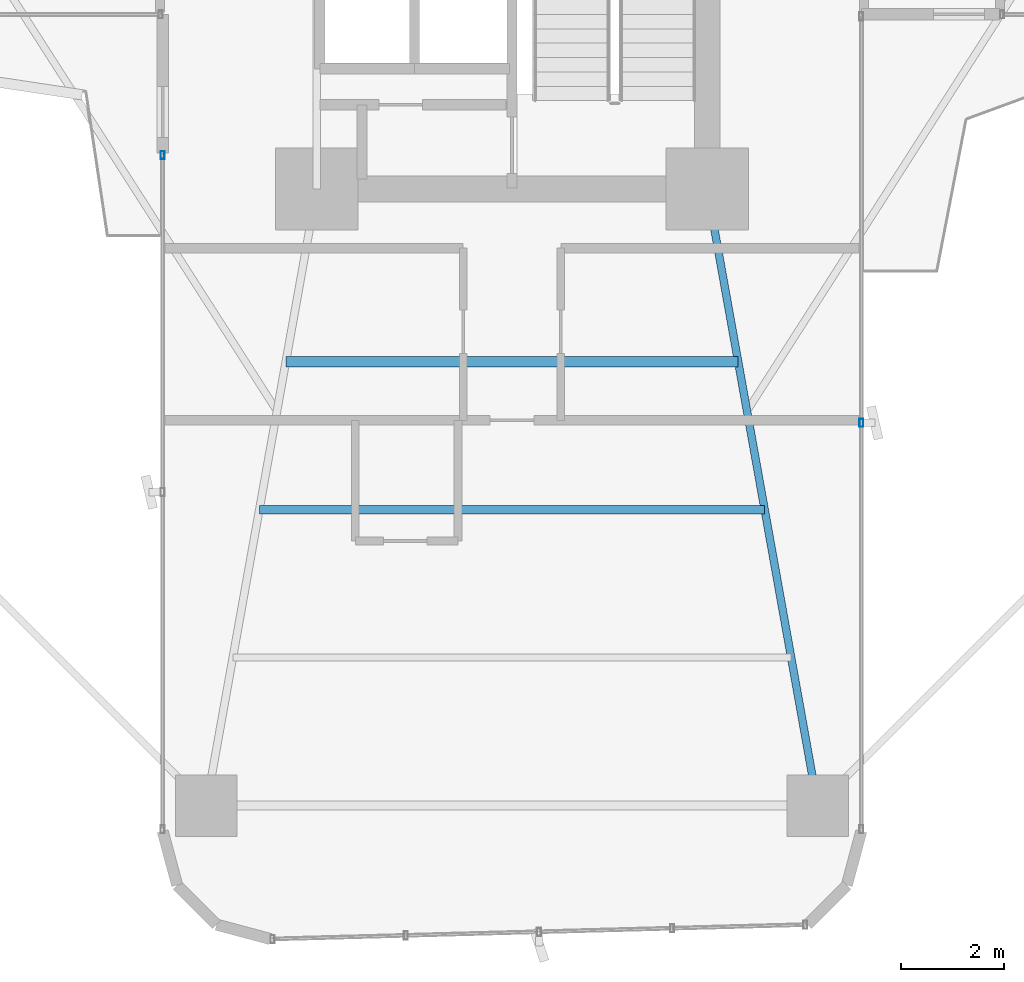
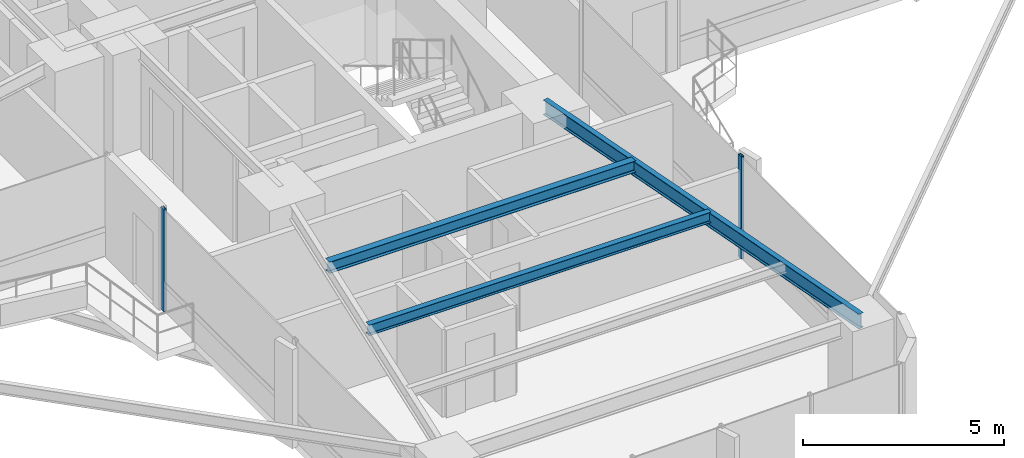
# One storey, part 4 of 26: 3 beams, 2 members, 2 elements without a shape of their own.
"""IFC4 building model written with IfcOpenShell, lengths in metres."""

import ifcopenshell
import ifcopenshell.guid

model = None  # the IFC model being written
_history = None  # IfcOwnerHistory: only IFC2X3 demands one
_inside = {}  # id of a spatial element -> (the spatial element, [elements in it])
_under = {}  # id of a project, library or spatial element -> (it, [spatial elements below it])
_declared = {}  # id of a project -> (the project, [libraries it declares])
_typed = {}  # id of a type object -> (the type object, [elements of that type])
_made_of = {}  # id of a material, layer set ... -> (it, [elements and type objects made of it])


def new_model(schema):
    """Start an empty IFC model of exactly this schema.

    Asked for "IFC4X3", IfcOpenShell would pick the latest addendum, in which some entities
    have other attributes; the version numbers below select the first issue.
    IFC2X3 requires an IfcOwnerHistory on every rooted entity: one is made here for all.
    """
    global model, _history
    if schema == "IFC4X3":
        model = ifcopenshell.file(schema_version=(4, 3, 0, 0))
    else:
        model = ifcopenshell.file(schema=schema)
    _inside.clear()
    _under.clear()
    _declared.clear()
    _typed.clear()
    _made_of.clear()
    _history = None
    if model.schema == "IFC2X3":
        org = make("IfcOrganization", Name="unknown")
        user = make(
            "IfcPersonAndOrganization",
            ThePerson=make("IfcPerson", FamilyName="unknown"),
            TheOrganization=org,
        )
        app = make(
            "IfcApplication",
            ApplicationDeveloper=org,
            Version="unknown",
            ApplicationFullName="unknown",
            ApplicationIdentifier="unknown",
        )
        _history = make(
            "IfcOwnerHistory",
            OwningUser=user,
            OwningApplication=app,
            ChangeAction="ADDED",
            CreationDate=0,
        )
    return model


def make(cls, **values):
    """One entity of the class cls with the attributes given. An attribute that is None is left unset."""
    return model.create_entity(
        cls, **{name: value for name, value in values.items() if value is not None}
    )


def rooted(cls, **values):
    """An entity with a GlobalId (a new one), such as an element, a storey or a relation."""
    return make(cls, GlobalId=ifcopenshell.guid.new(), OwnerHistory=_history, **values)


def si_unit(unit_type, name, prefix=None):
    """IfcSIUnit, for example si_unit("LENGTHUNIT", "METRE", prefix="MILLI")."""
    return make("IfcSIUnit", UnitType=unit_type, Prefix=prefix, Name=name)


def assignment(units):
    """IfcUnitAssignment: the units of a project."""
    return None if units is None else make("IfcUnitAssignment", Units=units)


def point(xyz):
    """IfcCartesianPoint."""
    return None if xyz is None else make("IfcCartesianPoint", Coordinates=xyz)


def direction(xyz):
    """IfcDirection."""
    return None if xyz is None else make("IfcDirection", DirectionRatios=xyz)


def frame(location, z_axis=None, x_axis=None):
    """IfcAxis2Placement3D, a coordinate frame: its origin and axes. An axis left out is left unset."""
    return make(
        "IfcAxis2Placement3D",
        Location=point(location),
        Axis=direction(z_axis),
        RefDirection=direction(x_axis),
    )


def frame_2d(location, x_axis=None):
    """IfcAxis2Placement2D, a coordinate frame in the plane: its origin and x axis."""
    return make(
        "IfcAxis2Placement2D", Location=point(location), RefDirection=direction(x_axis)
    )


def origin():
    """The frame at (0, 0, 0) with its axes left unset."""
    return frame((0.0, 0.0, 0.0))


def origin_2d():
    """The frame at (0, 0) in the plane with its x axis left unset."""
    return frame_2d((0.0, 0.0))


def place(relative_to, where):
    """IfcLocalPlacement: puts the frame where relative to a parent placement (None: the world)."""
    return make(
        "IfcLocalPlacement", PlacementRelTo=relative_to, RelativePlacement=where
    )


def context(
    kind, dimensions, precision=None, world=None, true_north=None, identifier=None
):
    """IfcGeometricRepresentationContext, for example the 3D "Model" context."""
    return make(
        "IfcGeometricRepresentationContext",
        ContextIdentifier=identifier,
        ContextType=kind,
        CoordinateSpaceDimension=dimensions,
        Precision=precision,
        WorldCoordinateSystem=world,
        TrueNorth=true_north,
    )


def subcontext(parent, identifier, kind, view, scale=None):
    """IfcGeometricRepresentationSubContext, for example "Body" below "Model"."""
    return make(
        "IfcGeometricRepresentationSubContext",
        ContextIdentifier=identifier,
        ContextType=kind,
        ParentContext=parent,
        TargetScale=scale,
        TargetView=view,
    )


def project(units=None, contexts=None):
    """IfcProject with its units and contexts."""
    return rooted(
        "IfcProject",
        Name="project",
        RepresentationContexts=contexts,
        UnitsInContext=assignment(units),
    )


def spatial(cls, under=None, at=None, **own):
    """A site, building, storey or space (cls), placed at a placement, below another one or the project."""
    s = rooted(cls, ObjectPlacement=at, **own)
    if under is not None:
        _under.setdefault(under.id(), (under, []))[1].append(s)
    return s


def profile(cls, at=None, kind="AREA", **sizes):
    """A parametric profile (cls). Its sizes go by their IFC names, for example OverallWidth=200.0."""
    return make(cls, ProfileType=kind, Position=at, **sizes)


def hollow_rectangle(**sizes):
    """IfcRectangleHollowProfileDef."""
    return profile("IfcRectangleHollowProfileDef", **sizes)


def i_section(**sizes):
    """IfcIShapeProfileDef."""
    return profile("IfcIShapeProfileDef", **sizes)


def extrude(swept, where, along, depth):
    """IfcExtrudedAreaSolid: the profile swept, set in the frame where, extruded along a direction by depth."""
    return make(
        "IfcExtrudedAreaSolid",
        SweptArea=swept,
        Position=where,
        ExtrudedDirection=direction(along),
        Depth=depth,
    )


def shape(context_of_items, identifier, shape_type, items):
    """IfcShapeRepresentation: the items that make up one representation, for example the "Body"."""
    return make(
        "IfcShapeRepresentation",
        ContextOfItems=context_of_items,
        RepresentationIdentifier=identifier,
        RepresentationType=shape_type,
        Items=items,
    )


def source(mapping_origin, context_of_items, identifier, shape_type, items):
    """IfcRepresentationMap: a shape defined once, which mapped items show again and again."""
    return make(
        "IfcRepresentationMap",
        MappingOrigin=mapping_origin,
        MappedRepresentation=shape(context_of_items, identifier, shape_type, items),
    )


def transform(
    local_origin,
    x_axis=None,
    y_axis=None,
    z_axis=None,
    scale=None,
    scale2=None,
    scale3=None,
    uniform=True,
):
    """IfcCartesianTransformationOperator3D, or its non-uniform kind. x_axis, y_axis, z_axis: its Axis1, 2, 3."""
    if uniform:
        return make(
            "IfcCartesianTransformationOperator3D",
            Axis1=direction(x_axis),
            Axis2=direction(y_axis),
            LocalOrigin=point(local_origin),
            Scale=scale,
            Axis3=direction(z_axis),
        )
    return make(
        "IfcCartesianTransformationOperator3DnonUniform",
        Axis1=direction(x_axis),
        Axis2=direction(y_axis),
        LocalOrigin=point(local_origin),
        Scale=scale,
        Axis3=direction(z_axis),
        Scale2=scale2,
        Scale3=scale3,
    )


def mapped(mapping_source, mapping_target):
    """IfcMappedItem: shows the shape of a source again, moved by a transform."""
    return make(
        "IfcMappedItem", MappingSource=mapping_source, MappingTarget=mapping_target
    )


def material(Name=None, Category=None):
    """IfcMaterial."""
    return make("IfcMaterial", Name=Name, Category=Category)


def material_profile(
    of_material, cross_section, Name=None, Category=None, Priority=None
):
    """IfcMaterialProfile: a cross section and its material."""
    return make(
        "IfcMaterialProfile",
        Name=Name,
        Material=of_material,
        Profile=cross_section,
        Priority=Priority,
        Category=Category,
    )


def profile_set(profiles, Name=None, composite=None):
    """IfcMaterialProfileSet."""
    return make(
        "IfcMaterialProfileSet",
        Name=Name,
        MaterialProfiles=profiles,
        CompositeProfile=composite,
    )


def made_of(thing, what):
    """Note that an element or type object is made of a material, layer set ...; save() writes the relation."""
    if what is not None:
        _made_of.setdefault(what.id(), (what, []))[1].append(thing)
    return thing


def type_object(cls, material=None, **own):
    """A type object (cls), such as IfcWallType, which elements share."""
    return made_of(rooted(cls, **own), material)


def element(
    cls,
    number,
    at=None,
    inside=None,
    cuts=None,
    type_object=None,
    material=None,
    context=None,
    identifier="Body",
    shape_type=None,
    held_by="IfcProductDefinitionShape",
    body=None,
    shapes=None,
    **own,
):
    """One element of the class cls, such as IfcWall. Its Tag is "e" and its number.

    at: its placement. inside: the storey or other place that contains it. cuts: it is an
    opening in that element (IfcRelVoidsElement). A single representation is given by context,
    identifier, shape_type and body (its items); several are given by shapes. held_by: the class
    of the entity that holds the representations. save() writes the other relations.
    """
    e = rooted(cls, Tag="e%d" % number, ObjectPlacement=at, **own)
    if body is not None:
        shapes = [shape(context, identifier, shape_type, body)]
    if shapes is not None:
        e.Representation = make(held_by, Representations=shapes)
    if inside is not None:
        _inside.setdefault(inside.id(), (inside, []))[1].append(e)
    if cuts is not None:
        rooted(
            "IfcRelVoidsElement", RelatingBuildingElement=cuts, RelatedOpeningElement=e
        )
    if type_object is not None:
        _typed.setdefault(type_object.id(), (type_object, []))[1].append(e)
    return made_of(e, material)


def aggregate(whole, parts):
    """IfcRelAggregates: a whole, such as a stair, and the parts it consists of."""
    return rooted("IfcRelAggregates", RelatingObject=whole, RelatedObjects=parts)


def save(model, path):
    """Write the relations noted so far, then the file.

    IfcRelAggregates (storeys below a building ...), IfcRelContainedInSpatialStructure (elements
    in a storey), IfcRelDefinesByType, IfcRelAssociatesMaterial and IfcRelDeclares: one each for
    every whole, place, type object, material and project.
    """
    for whole, parts in _under.values():
        aggregate(whole, parts)
    for where, things in _inside.values():
        rooted(
            "IfcRelContainedInSpatialStructure",
            RelatedElements=things,
            RelatingStructure=where,
        )
    for kind, things in _typed.values():
        rooted("IfcRelDefinesByType", RelatedObjects=things, RelatingType=kind)
    for what, things in _made_of.values():
        rooted("IfcRelAssociatesMaterial", RelatedObjects=things, RelatingMaterial=what)
    for by, libraries in _declared.values():
        rooted("IfcRelDeclares", RelatingContext=by, RelatedDefinitions=libraries)
    model.write(path)


model = new_model("IFC4")

# Units and contexts
model_context = context("Model", 3, precision=1e-05, world=origin(), true_north=direction((0.0, 1.0)))
body_context = subcontext(model_context, "Body", "Model", "MODEL_VIEW")
ifc_project = project(units=[si_unit("LENGTHUNIT", "METRE"), si_unit("AREAUNIT", "SQUARE_METRE"), si_unit("VOLUMEUNIT", "CUBIC_METRE"), si_unit("PLANEANGLEUNIT", "RADIAN"), si_unit("MASSUNIT", "GRAM", prefix="KILO")], contexts=[model_context])

# Site, building, storey
site_placement = place(None, origin())
site = spatial("IfcSite", under=ifc_project, at=site_placement, CompositionType="ELEMENT")
building_placement = place(site_placement, origin())
building = spatial("IfcBuilding", under=site, at=building_placement, Name="Sahyath Konkavel Grand Hotel", CompositionType="ELEMENT")
storey_placement = place(building_placement, frame((0.0, 0.0, 26.449951171875)))
storey = spatial("IfcBuildingStorey", under=building, at=storey_placement, Name="L06", CompositionType="ELEMENT", Elevation=26.449951171875)

# Beams
ifc_material_1 = material(Name="Steel E350", Category="steel")
ifc_material_profile_1 = material_profile(ifc_material_1, i_section(OverallWidth=0.14990234375, OverallDepth=0.449951171875, WebThickness=0.009521484375, FlangeThickness=0.017333984375, FilletRadius=0.014892578125, at=origin_2d()), Name="ISMB 450")
ifc_profile_set_1 = profile_set([ifc_material_profile_1], Name="Steel E350")
beam_type_1 = type_object("IfcBeamType", Name="BM-ISMB450", PredefinedType="BEAM", material=ifc_profile_set_1)
shared_shape_1 = source(origin(), body_context, "Body", "SweptSolid", [
    extrude(i_section(OverallWidth=0.14990234375, OverallDepth=0.449951171875, WebThickness=0.009521484375, FlangeThickness=0.017333984375, FilletRadius=0.014892578125, at=origin_2d()), origin(), (0.0, 0.0, 1.0), 12.191162109375),
])
beam_1_placement = place(storey_placement, frame((3.800048828125, -10.199951171875, 2.885009765625), z_axis=(0.176350650305, -0.984327409014, 0.0), x_axis=(0.984327409014, 0.176350650305, 0.0)))
element("IfcBeam", 1, at=beam_1_placement, inside=storey, type_object=beam_type_1, Name="L06 Cruciform Radial Girder SB", PredefinedType="BEAM", context=body_context, shape_type="MappedRepresentation", body=[
    mapped(shared_shape_1, transform((0.0, 0.0, 0.0), scale=1.0)),
])
ifc_material_profile_2 = material_profile(ifc_material_1, i_section(OverallWidth=0.199951171875, OverallDepth=0.35009765625, WebThickness=0.008056640625, FlangeThickness=0.011474609375, FilletRadius=0.013916015625, at=origin_2d()), Name="ISWB 350")
ifc_profile_set_2 = profile_set([ifc_material_profile_2], Name="Steel E350")
beam_type_2 = type_object("IfcBeamType", Name="BM-ISWB350", PredefinedType="BEAM", material=ifc_profile_set_2)
shared_shape_2 = source(origin(), body_context, "Body", "SweptSolid", [
    extrude(i_section(OverallWidth=0.199951171875, OverallDepth=0.35009765625, WebThickness=0.008056640625, FlangeThickness=0.011474609375, FilletRadius=0.013916015625, at=origin_2d()), origin(), (0.0, 0.0, 1.0), 8.80419921875),
])
beam_2_placement = place(storey_placement, frame((-4.402099609375, -13.56005859375, 2.93505859375), z_axis=(1.0, 0.0, 0.0), x_axis=(0.0, 1.0, 0.0)))
element("IfcBeam", 2, at=beam_2_placement, inside=storey, type_object=beam_type_2, Name="L06 Secondary Floor Beam S-1", PredefinedType="BEAM", context=body_context, shape_type="MappedRepresentation", body=[
    mapped(shared_shape_2, transform((0.0, 0.0, 0.0), scale=1.0)),
])
ifc_material_profile_3 = material_profile(ifc_material_1, i_section(OverallWidth=0.1650390625, OverallDepth=0.324951171875, WebThickness=0.007080078125, FlangeThickness=0.009765625, FilletRadius=0.014892578125, at=origin_2d()), Name="ISLB 325")
ifc_profile_set_3 = profile_set([ifc_material_profile_3], Name="Steel E350")
beam_type_3 = type_object("IfcBeamType", Name="BM-ISLB325", PredefinedType="BEAM", material=ifc_profile_set_3)
shared_shape_3 = source(origin(), body_context, "Body", "SweptSolid", [
    extrude(i_section(OverallWidth=0.1650390625, OverallDepth=0.324951171875, WebThickness=0.007080078125, FlangeThickness=0.009765625, FilletRadius=0.014892578125, at=origin_2d()), origin(), (0.0, 0.0, 1.0), 9.8359375),
])
beam_3_placement = place(storey_placement, frame((-4.91796875, -16.43994140625, 2.947509765625), z_axis=(1.0, 0.0, 0.0), x_axis=(0.0, 1.0, 0.0)))
element("IfcBeam", 3, at=beam_3_placement, inside=storey, type_object=beam_type_3, Name="L06 Secondary Floor Beam S-2", PredefinedType="BEAM", context=body_context, shape_type="MappedRepresentation", body=[
    mapped(shared_shape_3, transform((0.0, 0.0, 0.0), scale=1.0)),
])

# Curtain wall, member
ifc_material_2 = material(Name="Anodised Bronze Aluminium & Low-E Glazing", Category="aluminium")
curtain_wall_type = type_object("IfcCurtainWallType", Name="CW-ZONE1", PredefinedType="NOTDEFINED", material=ifc_material_2)
curtain_wall_1_placement = place(storey_placement, origin())
curtain_wall_1 = element("IfcCurtainWall", 4, at=curtain_wall_1_placement, inside=storey, type_object=curtain_wall_type, Name="L06 Unitised Curtain Wall F24", PredefinedType="NOTDEFINED")
ifc_material_3 = material(Name="Anodised Bronze Aluminium", Category="aluminium")
ifc_material_profile_4 = material_profile(ifc_material_3, hollow_rectangle(XDim=0.080078125, YDim=0.159912109375, WallThickness=0.006103515625, at=origin_2d()), Name="RHS 160x80x6")
ifc_profile_set_4 = profile_set([ifc_material_profile_4], Name="Anodised Bronze Aluminium")
member_type = type_object("IfcMemberType", Name="CW-MUL-160", PredefinedType="MULLION", material=ifc_profile_set_4)
shared_shape_4 = source(origin(), body_context, "Body", "SweptSolid", [
    extrude(hollow_rectangle(XDim=0.080078125, YDim=0.159912109375, WallThickness=0.006103515625, at=origin_2d()), origin(), (0.0, 0.0, 1.0), 3.110107421875),
])
member_1_placement = place(storey_placement, frame((-6.800048828125, -9.5400390625, 0.0), z_axis=(0.0, 0.0, 1.0), x_axis=(1.0, 0.0, 0.0)))
member_1 = element("IfcMember", 5, at=member_1_placement, type_object=member_type, Name="L06 Curtain Wall Mullion F24-0", PredefinedType="MULLION", context=body_context, shape_type="MappedRepresentation", body=[
    mapped(shared_shape_4, transform((0.0, 0.0, 0.0), scale=1.0)),
])
aggregate(curtain_wall_1, [member_1])

curtain_wall_2_placement = place(storey_placement, origin())
curtain_wall_2 = element("IfcCurtainWall", 6, at=curtain_wall_2_placement, inside=storey, type_object=curtain_wall_type, Name="L06 Unitised Curtain Wall F31", PredefinedType="NOTDEFINED")
member_2_placement = place(storey_placement, frame((6.800048828125, -14.75, 0.0), z_axis=(0.0, 0.0, 1.0), x_axis=(1.0, 0.0, 0.0)))
member_2 = element("IfcMember", 7, at=member_2_placement, type_object=member_type, Name="L06 Curtain Wall Mullion F31-1", PredefinedType="MULLION", context=body_context, shape_type="MappedRepresentation", body=[
    mapped(shared_shape_4, transform((0.0, 0.0, 0.0), scale=1.0)),
])
aggregate(curtain_wall_2, [member_2])

save(model, "model.ifc")
